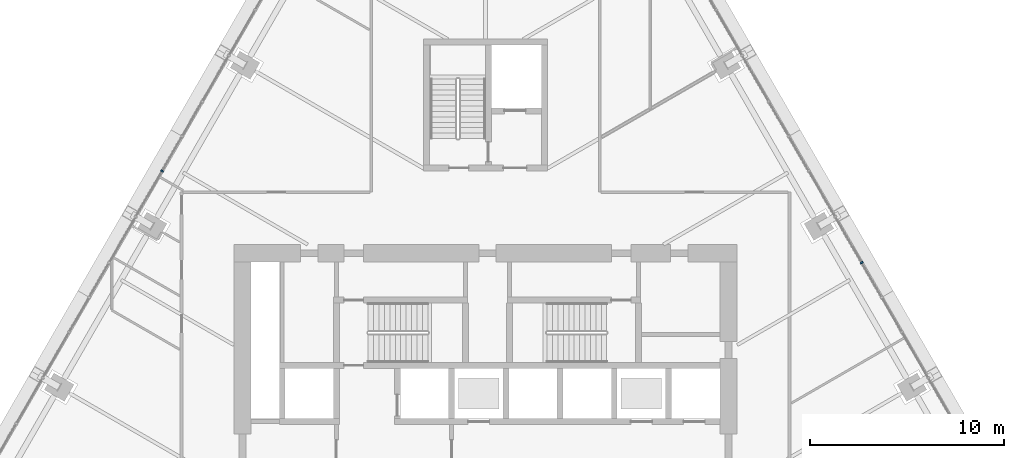
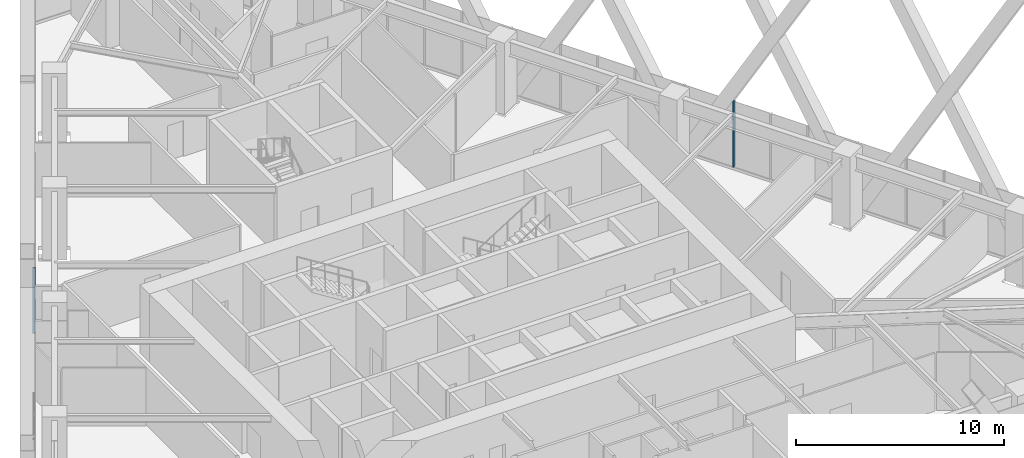
# One storey, part 10 of 26: 2 members, 2 elements without a shape of their own.
"""IFC4 building model written with IfcOpenShell, lengths in metres."""

from ifc_helpers import new_model, si_unit, direction, frame, origin, origin_2d, place, context, subcontext, project, spatial, rectangle, extrude, material, layer, layer_set, material_profile, profile_set, type_object, element, aggregate, save


model = new_model("IFC4")

# Units and contexts
model_context = context("Model", 3, precision=1e-05, world=origin(), true_north=direction((0.0, 1.0)))
body_context = subcontext(model_context, "Body", "Model", "MODEL_VIEW")
ifc_project = project(units=[si_unit("LENGTHUNIT", "METRE"), si_unit("AREAUNIT", "SQUARE_METRE"), si_unit("VOLUMEUNIT", "CUBIC_METRE"), si_unit("PLANEANGLEUNIT", "RADIAN"), si_unit("MASSUNIT", "GRAM", prefix="KILO")], contexts=[model_context])

# Site, building, storey
site_placement = place(None, origin())
site = spatial("IfcSite", under=ifc_project, at=site_placement, CompositionType="ELEMENT")
building_placement = place(site_placement, origin())
building = spatial("IfcBuilding", under=site, at=building_placement, Name="Firuza Gate Tower and Library", CompositionType="ELEMENT")
storey_placement = place(building_placement, frame((0.0, 0.0, 40.0)))
storey = spatial("IfcBuildingStorey", under=building, at=storey_placement, Name="L08", CompositionType="ELEMENT", Elevation=40.0)

# Curtain wall, member
ifc_material_1 = material(Name="Aluminium 6063-T6", Category="aluminium")
ifc_layer = layer(ifc_material_1, 0.14990234375)
ifc_layer_set = layer_set([ifc_layer], Name="Unitised curtain wall, offices")
curtain_wall_type = type_object("IfcCurtainWallType", Name="Unitised curtain wall, offices", PredefinedType="NOTDEFINED", material=ifc_layer_set)
placement = place(storey_placement, origin())
curtain_wall_1 = element("IfcCurtainWall", 1, at=placement, inside=storey, type_object=curtain_wall_type, Name="CW1 L08 E face", PredefinedType="NOTDEFINED")
ifc_material_2 = material(Name="Aluminium 6063-T6", Category="aluminium")
ifc_material_profile = material_profile(ifc_material_2, rectangle(XDim=0.14990234375, YDim=0.080078125, at=origin_2d()))
ifc_profile_set = profile_set([ifc_material_profile], Name="Aluminium 6063-T6")
member_type = type_object("IfcMemberType", Name="Curtain wall mullion 80x150", PredefinedType="MULLION", material=ifc_profile_set)
member_1_placement = place(storey_placement, frame((94.431884765625, 83.062255859375, 0.14990234375), z_axis=(0.0, 0.0, 1.0), x_axis=(-0.866025403784, -0.5, 0.0)))
member_1 = element("IfcMember", 2, at=member_1_placement, type_object=member_type, Name="Mullion", PredefinedType="MULLION", context=body_context, shape_type="SweptSolid", body=[
    extrude(rectangle(XDim=0.14990234375, YDim=0.080078125, at=origin_2d()), origin(), (0.0, 0.0, 1.0), 3.85009765625),
])
aggregate(curtain_wall_1, [member_1])

curtain_wall_2 = element("IfcCurtainWall", 3, at=placement, inside=storey, type_object=curtain_wall_type, Name="CW1 L08 W face", PredefinedType="NOTDEFINED")
member_2_placement = place(storey_placement, frame((58.302001953125, 87.79736328125, 0.14990234375), z_axis=(0.0, 0.0, 1.0), x_axis=(0.866025403784, -0.5, 0.0)))
member_2 = element("IfcMember", 4, at=member_2_placement, type_object=member_type, Name="Mullion", PredefinedType="MULLION", context=body_context, shape_type="SweptSolid", body=[
    extrude(rectangle(XDim=0.14990234375, YDim=0.080078125, at=origin_2d()), origin(), (0.0, 0.0, 1.0), 3.85009765625),
])
aggregate(curtain_wall_2, [member_2])

save(model, "model.ifc")
